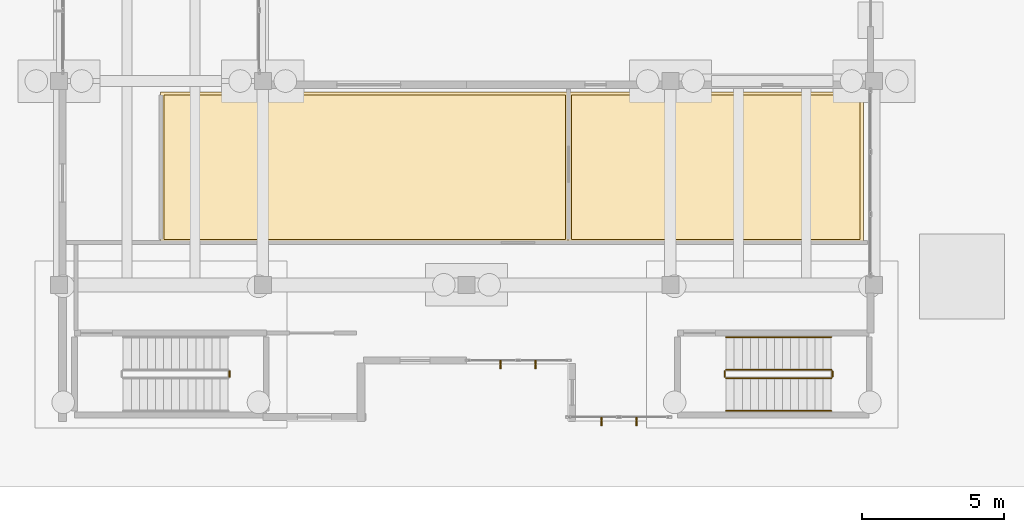
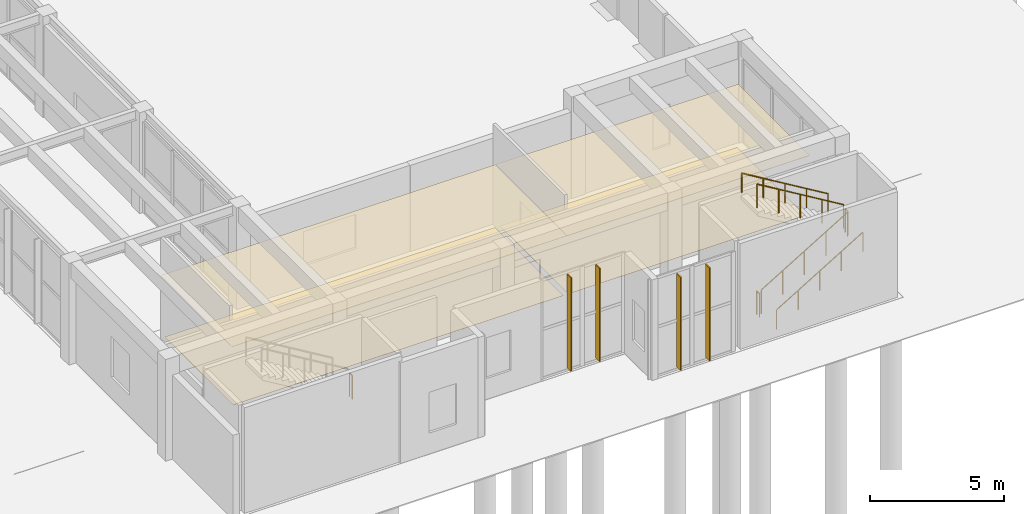
# One storey, part 137 of 155: 7 railings, 4 coverings, 4 shading devices.
"""IFC4 building model written with IfcOpenShell, lengths in metres."""

from ifc_helpers import new_model, si_unit, direction, frame, origin, origin_2d, place, context, subcontext, project, spatial, polyline, rectangle, circle, outline, extrude, material, layer, layer_set, type_object, element, save


model = new_model("IFC4")

# Units and contexts
model_context = context("Model", 3, precision=1e-05, world=origin(), true_north=direction((0.0, 1.0)))
body_context = subcontext(model_context, "Body", "Model", "MODEL_VIEW")
ifc_project = project(units=[si_unit("LENGTHUNIT", "METRE"), si_unit("AREAUNIT", "SQUARE_METRE"), si_unit("VOLUMEUNIT", "CUBIC_METRE"), si_unit("PLANEANGLEUNIT", "RADIAN"), si_unit("MASSUNIT", "GRAM", prefix="KILO")], contexts=[model_context])

# Site, building, storey
site_placement = place(None, origin())
site = spatial("IfcSite", under=ifc_project, at=site_placement, CompositionType="ELEMENT")
building_placement = place(site_placement, origin())
building = spatial("IfcBuilding", under=site, at=building_placement, Name="Bramvelor Terrace Health Centre", CompositionType="ELEMENT")
storey_placement = place(building_placement, origin())
storey = spatial("IfcBuildingStorey", under=building, at=storey_placement, Name="L01", CompositionType="ELEMENT", Elevation=0.0)

# Coverings
ifc_material_1 = material(Name="Hygienic mineral-fibre acoustic ceiling", Category="gypsum")
ifc_layer_1 = layer(ifc_material_1, 0.02001953125)
ifc_layer_set_1 = layer_set([ifc_layer_1], Name="Hygienic mineral-fibre acoustic ceiling")
covering_type_1 = type_object("IfcCoveringType", Name="COV-CLG-ACT", PredefinedType="CEILING", material=ifc_layer_set_1)
covering_1_placement = place(storey_placement, frame((0.0, 0.0, 2.75)))
element("IfcCovering", 1, at=covering_1_placement, inside=storey, type_object=covering_type_1, Name="L01 Neurological and Orthopaedic Rehab Gym Acoustic Ceiling", PredefinedType="CEILING", context=body_context, shape_type="SweptSolid", body=[
    extrude(outline(polyline([(61.18994140625, 14.0), (61.190185546875, 14.001953125), (61.1904296875, 14.00390625), (61.19091796875, 14.005859375), (61.19140625, 14.0078125), (61.1923828125, 14.009521484375), (61.193359375, 14.010986328125), (61.194580078125, 14.0126953125), (61.19580078125, 14.01416015625), (61.197265625, 14.015380859375), (61.198974609375, 14.0166015625), (61.20068359375, 14.017578125), (61.202392578125, 14.0185546875), (61.2041015625, 14.01904296875), (61.2060546875, 14.01953125), (61.2080078125, 14.02001953125), (61.2099609375, 14.02001953125), (75.60009765625, 14.02001953125), (75.60205078125, 14.02001953125), (75.60400390625, 14.01953125), (75.605712890625, 14.01904296875), (75.607666015625, 14.0185546875), (75.609375, 14.017578125), (75.611083984375, 14.0166015625), (75.61279296875, 14.015380859375), (75.614013671875, 14.01416015625), (75.615478515625, 14.0126953125), (75.61669921875, 14.010986328125), (75.61767578125, 14.009521484375), (75.618408203125, 14.0078125), (75.619140625, 14.005859375), (75.61962890625, 14.00390625), (75.619873046875, 14.001953125), (75.6201171875, 14.0), (75.6201171875, 8.701416015625), (75.619873046875, 8.69921875), (75.61962890625, 8.697509765625), (75.619140625, 8.6953125), (75.618408203125, 8.693603515625), (75.61767578125, 8.69189453125), (75.61669921875, 8.690185546875), (75.615478515625, 8.688720703125), (75.614013671875, 8.68701171875), (75.61279296875, 8.685791015625), (75.611083984375, 8.6845703125), (75.609375, 8.68359375), (75.607666015625, 8.682861328125), (75.605712890625, 8.68212890625), (75.60400390625, 8.681640625), (75.60205078125, 8.681396484375), (75.60009765625, 8.681396484375), (61.2099609375, 8.68017578125), (61.2080078125, 8.680419921875), (61.2060546875, 8.6806640625), (61.2041015625, 8.68115234375), (61.202392578125, 8.681640625), (61.20068359375, 8.6826171875), (61.198974609375, 8.68359375), (61.197265625, 8.684814453125), (61.19580078125, 8.68603515625), (61.194580078125, 8.6875), (61.193359375, 8.689208984375), (61.1923828125, 8.69091796875), (61.19140625, 8.692626953125), (61.19091796875, 8.6943359375), (61.1904296875, 8.6962890625), (61.190185546875, 8.6982421875), (61.18994140625, 8.7001953125), (61.18994140625, 14.0)])), origin(), (0.0, 0.0, 1.0), 0.02001953125),
])
covering_2_placement = place(storey_placement, frame((0.0, 0.0, 2.75)))
element("IfcCovering", 2, at=covering_2_placement, inside=storey, type_object=covering_type_1, Name="L01 Hydrotherapy Assessment and Gait Lab Acoustic Ceiling", PredefinedType="CEILING", context=body_context, shape_type="SweptSolid", body=[
    extrude(outline(polyline([(75.590087890625, 14.0), (75.590087890625, 14.001953125), (75.59033203125, 14.00390625), (75.5908203125, 14.005859375), (75.591552734375, 14.0078125), (75.59228515625, 14.009521484375), (75.593505859375, 14.010986328125), (75.594482421875, 14.0126953125), (75.595947265625, 14.01416015625), (75.597412109375, 14.015380859375), (75.598876953125, 14.0166015625), (75.6005859375, 14.017578125), (75.602294921875, 14.0185546875), (75.604248046875, 14.01904296875), (75.606201171875, 14.01953125), (75.60791015625, 14.02001953125), (75.610107421875, 14.02001953125), (86.0, 14.02001953125), (86.001953125, 14.02001953125), (86.00390625, 14.01953125), (86.005859375, 14.01904296875), (86.0078125, 14.0185546875), (86.009521484375, 14.017578125), (86.010986328125, 14.0166015625), (86.0126953125, 14.015380859375), (86.01416015625, 14.01416015625), (86.015380859375, 14.0126953125), (86.0166015625, 14.010986328125), (86.017578125, 14.009521484375), (86.0185546875, 14.0078125), (86.01904296875, 14.005859375), (86.01953125, 14.00390625), (86.02001953125, 14.001953125), (86.02001953125, 14.0), (86.02001953125, 8.701904296875), (86.02001953125, 8.699951171875), (86.01953125, 8.697998046875), (86.01904296875, 8.6962890625), (86.0185546875, 8.6943359375), (86.017578125, 8.692626953125), (86.0166015625, 8.69091796875), (86.015380859375, 8.689208984375), (86.01416015625, 8.68798828125), (86.0126953125, 8.6865234375), (86.010986328125, 8.685302734375), (86.009521484375, 8.684326171875), (86.0078125, 8.68359375), (86.005859375, 8.682861328125), (86.00390625, 8.682373046875), (86.001953125, 8.68212890625), (86.0, 8.681884765625), (75.610107421875, 8.681396484375), (75.60791015625, 8.681396484375), (75.606201171875, 8.681640625), (75.604248046875, 8.68212890625), (75.602294921875, 8.682861328125), (75.6005859375, 8.68359375), (75.598876953125, 8.6845703125), (75.597412109375, 8.685791015625), (75.595947265625, 8.68701171875), (75.594482421875, 8.688720703125), (75.593505859375, 8.690185546875), (75.59228515625, 8.69189453125), (75.591552734375, 8.693603515625), (75.5908203125, 8.6953125), (75.59033203125, 8.697509765625), (75.590087890625, 8.69921875), (75.590087890625, 8.701416015625), (75.590087890625, 14.0)])), origin(), (0.0, 0.0, 1.0), 0.02001953125),
])
ifc_material_2 = material(Name="Seamless antimicrobial clinical vinyl", Category="polymer")
ifc_layer_2 = layer(ifc_material_2, 0.008056640625)
ifc_layer_set_2 = layer_set([ifc_layer_2], Name="Seamless antimicrobial clinical vinyl")
covering_type_2 = type_object("IfcCoveringType", Name="COV-FLR-VNL", PredefinedType="FLOORING", material=ifc_layer_set_2)
covering_3_placement = place(storey_placement, origin())
element("IfcCovering", 3, at=covering_3_placement, inside=storey, type_object=covering_type_2, Name="L01 Neurological and Orthopaedic Rehab Gym Clinical Vinyl Flooring", PredefinedType="FLOORING", context=body_context, shape_type="SweptSolid", body=[
    extrude(outline(polyline([(61.31005859375, 13.89990234375), (75.5, 13.89990234375), (75.5, 8.80126953125), (61.31005859375, 8.80029296875), (61.31005859375, 13.89990234375)])), origin(), (0.0, 0.0, 1.0), 0.008056640625),
])
covering_4_placement = place(storey_placement, origin())
element("IfcCovering", 4, at=covering_4_placement, inside=storey, type_object=covering_type_2, Name="L01 Hydrotherapy Assessment and Gait Lab Clinical Vinyl Flooring", PredefinedType="FLOORING", context=body_context, shape_type="SweptSolid", body=[
    extrude(outline(polyline([(75.7099609375, 13.89990234375), (85.89990234375, 13.89990234375), (85.89990234375, 8.802001953125), (75.7099609375, 8.80126953125), (75.7099609375, 13.89990234375)])), origin(), (0.0, 0.0, 1.0), 0.008056640625),
])

# Railings
ifc_material_3 = material(Name="Painted galvanized steel", Category="steel")
railing_type_1 = type_object("IfcRailingType", Name="RLG-GD-1100", PredefinedType="GUARDRAIL", material=ifc_material_3)
railing_1_placement = place(storey_placement, frame((63.625, 3.949951171875, 2.39990234375)))
element("IfcRailing", 5, at=railing_1_placement, inside=storey, type_object=railing_type_1, Name="L01 ST-9 stair guard 2", PredefinedType="GUARDRAIL", context=body_context, shape_type="SweptSolid", body=[
    extrude(circle(Radius=0.02392578125, at=origin_2d()), frame((0.0, 0.0, 1.076171875), z_axis=(0.0, 1.0, 0.0), x_axis=(-1.0, 0.0, 0.0)), (0.0, 0.0, 1.0), 0.199951171875),
    extrude(circle(Radius=0.02099609375, at=origin_2d()), origin(), (0.0, 0.0, 1.0), 1.052001953125),
    extrude(circle(Radius=0.02099609375, at=origin_2d()), frame((0.0, 0.199951171875, 0.0)), (0.0, 0.0, 1.0), 1.052001953125),
])
railing_2_placement = place(storey_placement, frame((81.169921875, 3.89990234375, 0.17138671875)))
element("IfcRailing", 6, at=railing_2_placement, inside=storey, type_object=railing_type_1, Name="L01 ST-10 stair guard 1", PredefinedType="GUARDRAIL", context=body_context, shape_type="SweptSolid", body=[
    extrude(circle(Radius=0.02392578125, at=origin_2d()), frame((0.0, 0.0, 1.076171875), z_axis=(0.856934400257, 0.0, 0.515425487977), x_axis=(0.0, 1.0, 0.0)), (0.0, 0.0, 1.0), 4.32373046875),
    extrude(circle(Radius=0.02099609375, at=origin_2d()), origin(), (0.0, 0.0, 1.0), 1.052001953125),
    extrude(circle(Radius=0.02099609375, at=origin_2d()), frame((0.92626953125, 0.0, 0.55712890625)), (0.0, 0.0, 1.0), 1.052001953125),
    extrude(circle(Radius=0.02099609375, at=origin_2d()), frame((1.8525390625, 0.0, 1.1142578125)), (0.0, 0.0, 1.0), 1.052001953125),
    extrude(circle(Radius=0.02099609375, at=origin_2d()), frame((2.77880859375, 0.0, 1.67138671875)), (0.0, 0.0, 1.0), 1.052001953125),
    extrude(circle(Radius=0.02099609375, at=origin_2d()), frame((3.705078125, 0.0, 2.228515625)), (0.0, 0.0, 1.0), 1.052001953125),
])
railing_3_placement = place(storey_placement, frame((84.925048828125, 3.949951171875, 2.39990234375)))
element("IfcRailing", 7, at=railing_3_placement, inside=storey, type_object=railing_type_1, Name="L01 ST-10 stair guard 2", PredefinedType="GUARDRAIL", context=body_context, shape_type="SweptSolid", body=[
    extrude(circle(Radius=0.02392578125, at=origin_2d()), frame((0.0, 0.0, 1.076171875), z_axis=(0.0, 1.0, 0.0), x_axis=(-1.0, 0.0, 0.0)), (0.0, 0.0, 1.0), 0.199951171875),
    extrude(circle(Radius=0.02099609375, at=origin_2d()), origin(), (0.0, 0.0, 1.0), 1.052001953125),
    extrude(circle(Radius=0.02099609375, at=origin_2d()), frame((0.0, 0.199951171875, 0.0)), (0.0, 0.0, 1.0), 1.052001953125),
])
railing_4_placement = place(storey_placement, frame((84.875, 4.199951171875, 2.571533203125)))
element("IfcRailing", 8, at=railing_4_placement, inside=storey, type_object=railing_type_1, Name="L01 ST-10 stair guard 3", PredefinedType="GUARDRAIL", context=body_context, shape_type="SweptSolid", body=[
    extrude(circle(Radius=0.02392578125, at=origin_2d()), frame((0.0, 0.0, 1.076171875), z_axis=(-0.856934400257, 0.0, 0.515425487977), x_axis=(0.0, -1.0, 0.0)), (0.0, 0.0, 1.0), 4.32373046875),
    extrude(circle(Radius=0.02099609375, at=origin_2d()), origin(), (0.0, 0.0, 1.0), 1.052001953125),
    extrude(circle(Radius=0.02099609375, at=origin_2d()), frame((-0.92626953125, 0.0, 0.55712890625)), (0.0, 0.0, 1.0), 1.052001953125),
    extrude(circle(Radius=0.02099609375, at=origin_2d()), frame((-1.8525390625, 0.0, 1.1142578125)), (0.0, 0.0, 1.0), 1.052001953125),
    extrude(circle(Radius=0.02099609375, at=origin_2d()), frame((-2.77880859375, 0.0, 1.67138671875)), (0.0, 0.0, 1.0), 1.052001953125),
    extrude(circle(Radius=0.02099609375, at=origin_2d()), frame((-3.705078125, 0.0, 2.228515625)), (0.0, 0.0, 1.0), 1.052001953125),
])
railing_5_placement = place(storey_placement, frame((81.1201171875, 3.949951171875, 0.0)))
element("IfcRailing", 9, at=railing_5_placement, inside=storey, type_object=railing_type_1, Name="L01 ST-10 stair guard 4", PredefinedType="GUARDRAIL", context=body_context, shape_type="SweptSolid", body=[
    extrude(circle(Radius=0.02392578125, at=origin_2d()), frame((0.0, 0.0, 1.076171875), z_axis=(0.0, 1.0, 0.0), x_axis=(-1.0, 0.0, 0.0)), (0.0, 0.0, 1.0), 0.199951171875),
    extrude(circle(Radius=0.02099609375, at=origin_2d()), origin(), (0.0, 0.0, 1.0), 1.052001953125),
    extrude(circle(Radius=0.02099609375, at=origin_2d()), frame((0.0, 0.199951171875, 0.0)), (0.0, 0.0, 1.0), 1.052001953125),
])
ifc_material_4 = material(Name="Brushed stainless steel 316", Category="steel")
railing_type_2 = type_object("IfcRailingType", Name="RLG-HR-900", PredefinedType="HANDRAIL", material=ifc_material_4)
railing_6_placement = place(storey_placement, frame((81.169921875, 2.75, 0.17138671875)))
element("IfcRailing", 10, at=railing_6_placement, inside=storey, type_object=railing_type_2, Name="L01 ST-10 stair handrail 1", PredefinedType="HANDRAIL", context=body_context, shape_type="SweptSolid", body=[
    extrude(circle(Radius=0.02392578125, at=origin_2d()), frame((0.0, 0.0, 0.8759765625), z_axis=(0.856934400257, 0.0, 0.515425487977), x_axis=(0.0, 1.0, 0.0)), (0.0, 0.0, 1.0), 4.32373046875),
    extrude(circle(Radius=0.02099609375, at=origin_2d()), origin(), (0.0, 0.0, 1.0), 0.851806640625),
    extrude(circle(Radius=0.02099609375, at=origin_2d()), frame((0.92626953125, 0.0, 0.55712890625)), (0.0, 0.0, 1.0), 0.851806640625),
    extrude(circle(Radius=0.02099609375, at=origin_2d()), frame((1.8525390625, 0.0, 1.1142578125)), (0.0, 0.0, 1.0), 0.851806640625),
    extrude(circle(Radius=0.02099609375, at=origin_2d()), frame((2.77880859375, 0.0, 1.67138671875)), (0.0, 0.0, 1.0), 0.851806640625),
    extrude(circle(Radius=0.02099609375, at=origin_2d()), frame((3.705078125, 0.0, 2.228515625)), (0.0, 0.0, 1.0), 0.851806640625),
])
railing_7_placement = place(storey_placement, frame((84.875, 5.35009765625, 2.571533203125)))
element("IfcRailing", 11, at=railing_7_placement, inside=storey, type_object=railing_type_2, Name="L01 ST-10 stair handrail 2", PredefinedType="HANDRAIL", context=body_context, shape_type="SweptSolid", body=[
    extrude(circle(Radius=0.02392578125, at=origin_2d()), frame((0.0, 0.0, 0.8759765625), z_axis=(-0.856934400257, 0.0, 0.515425487977), x_axis=(0.0, -1.0, 0.0)), (0.0, 0.0, 1.0), 4.32373046875),
    extrude(circle(Radius=0.02099609375, at=origin_2d()), origin(), (0.0, 0.0, 1.0), 0.851806640625),
    extrude(circle(Radius=0.02099609375, at=origin_2d()), frame((-0.92626953125, 0.0, 0.55712890625)), (0.0, 0.0, 1.0), 0.851806640625),
    extrude(circle(Radius=0.02099609375, at=origin_2d()), frame((-1.8525390625, 0.0, 1.1142578125)), (0.0, 0.0, 1.0), 0.851806640625),
    extrude(circle(Radius=0.02099609375, at=origin_2d()), frame((-2.77880859375, 0.0, 1.67138671875)), (0.0, 0.0, 1.0), 0.851806640625),
    extrude(circle(Radius=0.02099609375, at=origin_2d()), frame((-3.705078125, 0.0, 2.228515625)), (0.0, 0.0, 1.0), 0.851806640625),
])

# Shading devices
ifc_material_5 = material(Name="Anodized aluminium 6063-T6", Category="aluminium")
ifc_layer_3 = layer(ifc_material_5, 0.050048828125)
ifc_layer_set_3 = layer_set([ifc_layer_3], Name="Anodized aluminium 6063-T6")
shading_device_type = type_object("IfcShadingDeviceType", Name="SHD-FIN-300", PredefinedType="JALOUSIE", material=ifc_layer_set_3)
for number, where, z_axis, x_axis, name in (
    (12, (77.998779296875, 2.3798828125, 0.14990234375), (0.0, 0.0, 1.0), (1.0, 0.0, 0.0), "L01 Solar Shading Louvre Fin 45"),
    (13, (76.76123046875, 2.3798828125, 0.14990234375), (0.0, 0.0, 1.0), (1.0, 0.0, 0.0), "L01 Solar Shading Louvre Fin 46"),
    (14, (74.438720703125, 4.3798828125, 0.14990234375), (0.0, 0.0, 1.0), (1.0, 0.0, 0.0), "L01 Solar Shading Louvre Fin 47"),
    (15, (73.201171875, 4.3798828125, 0.14990234375), (0.0, 0.0, 1.0), (1.0, 0.0, 0.0), "L01 Solar Shading Louvre Fin 48"),
):
    element("IfcShadingDevice", number, at=place(storey_placement, frame(where, z_axis=z_axis, x_axis=x_axis)), inside=storey, type_object=shading_device_type, Name=name, PredefinedType="JALOUSIE", context=body_context, shape_type="SweptSolid", body=[
        extrude(rectangle(XDim=0.050048828125, YDim=0.300048828125, at=origin_2d()), origin(), (0.0, 0.0, 1.0), 4.22998046875),
    ])

save(model, "model.ifc")
